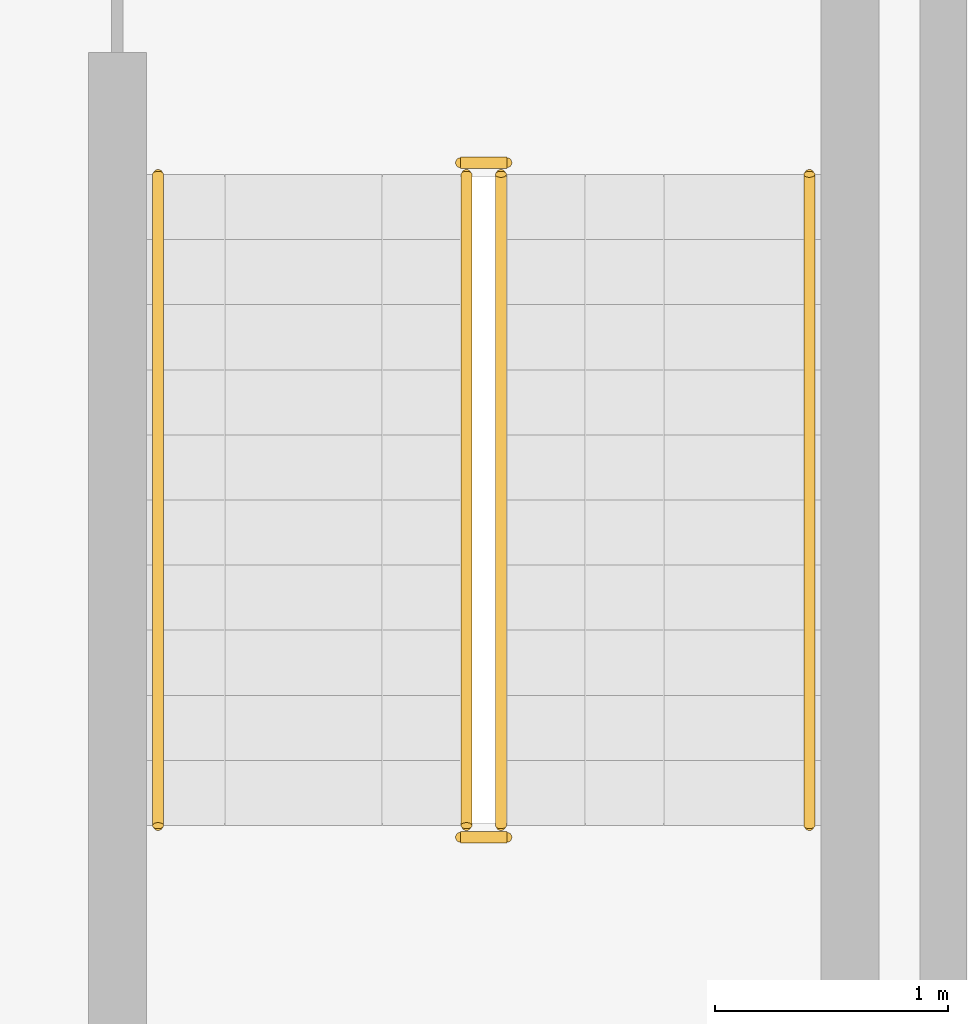
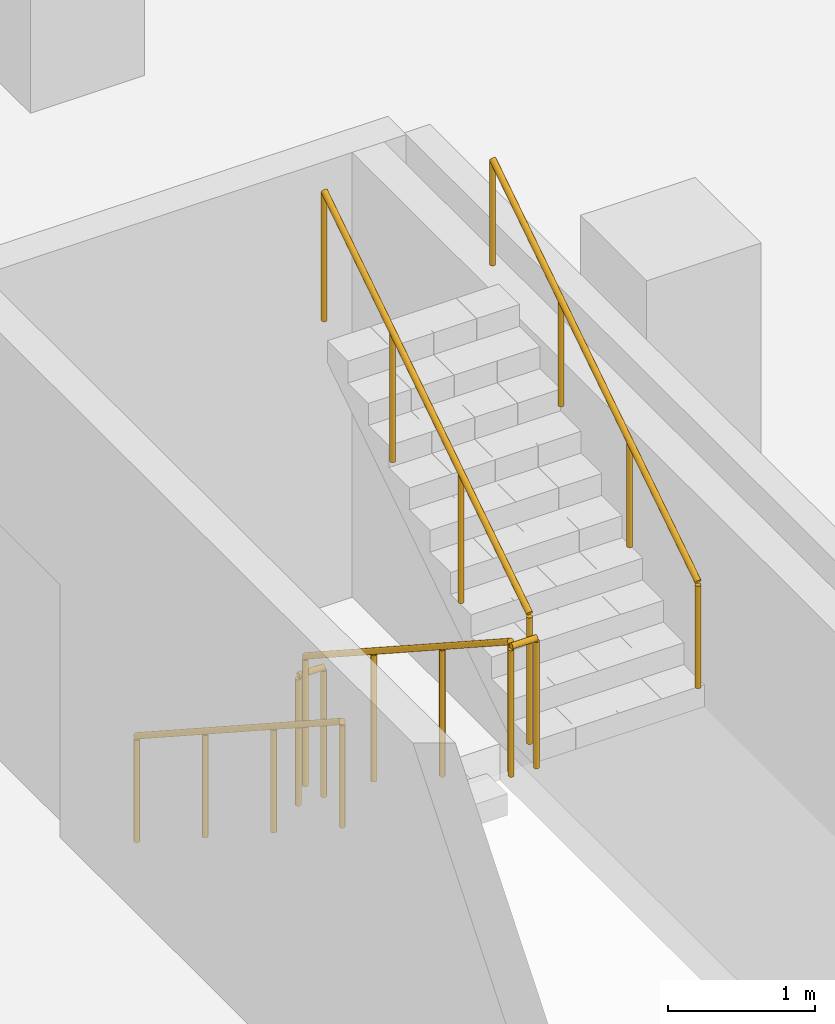
# One storey, part 16 of 18: 6 railings.
"""IFC4 building model written with IfcOpenShell, lengths in metres."""

import ifcopenshell
import ifcopenshell.guid

model = None  # the IFC model being written
_history = None  # IfcOwnerHistory: only IFC2X3 demands one
_inside = {}  # id of a spatial element -> (the spatial element, [elements in it])
_under = {}  # id of a project, library or spatial element -> (it, [spatial elements below it])
_declared = {}  # id of a project -> (the project, [libraries it declares])
_typed = {}  # id of a type object -> (the type object, [elements of that type])
_made_of = {}  # id of a material, layer set ... -> (it, [elements and type objects made of it])


def new_model(schema):
    """Start an empty IFC model of exactly this schema.

    Asked for "IFC4X3", IfcOpenShell would pick the latest addendum, in which some entities
    have other attributes; the version numbers below select the first issue.
    IFC2X3 requires an IfcOwnerHistory on every rooted entity: one is made here for all.
    """
    global model, _history
    if schema == "IFC4X3":
        model = ifcopenshell.file(schema_version=(4, 3, 0, 0))
    else:
        model = ifcopenshell.file(schema=schema)
    _inside.clear()
    _under.clear()
    _declared.clear()
    _typed.clear()
    _made_of.clear()
    _history = None
    if model.schema == "IFC2X3":
        org = make("IfcOrganization", Name="unknown")
        user = make(
            "IfcPersonAndOrganization",
            ThePerson=make("IfcPerson", FamilyName="unknown"),
            TheOrganization=org,
        )
        app = make(
            "IfcApplication",
            ApplicationDeveloper=org,
            Version="unknown",
            ApplicationFullName="unknown",
            ApplicationIdentifier="unknown",
        )
        _history = make(
            "IfcOwnerHistory",
            OwningUser=user,
            OwningApplication=app,
            ChangeAction="ADDED",
            CreationDate=0,
        )
    return model


def make(cls, **values):
    """One entity of the class cls with the attributes given. An attribute that is None is left unset."""
    return model.create_entity(
        cls, **{name: value for name, value in values.items() if value is not None}
    )


def rooted(cls, **values):
    """An entity with a GlobalId (a new one), such as an element, a storey or a relation."""
    return make(cls, GlobalId=ifcopenshell.guid.new(), OwnerHistory=_history, **values)


def si_unit(unit_type, name, prefix=None):
    """IfcSIUnit, for example si_unit("LENGTHUNIT", "METRE", prefix="MILLI")."""
    return make("IfcSIUnit", UnitType=unit_type, Prefix=prefix, Name=name)


def assignment(units):
    """IfcUnitAssignment: the units of a project."""
    return None if units is None else make("IfcUnitAssignment", Units=units)


def point(xyz):
    """IfcCartesianPoint."""
    return None if xyz is None else make("IfcCartesianPoint", Coordinates=xyz)


def direction(xyz):
    """IfcDirection."""
    return None if xyz is None else make("IfcDirection", DirectionRatios=xyz)


def frame(location, z_axis=None, x_axis=None):
    """IfcAxis2Placement3D, a coordinate frame: its origin and axes. An axis left out is left unset."""
    return make(
        "IfcAxis2Placement3D",
        Location=point(location),
        Axis=direction(z_axis),
        RefDirection=direction(x_axis),
    )


def frame_2d(location, x_axis=None):
    """IfcAxis2Placement2D, a coordinate frame in the plane: its origin and x axis."""
    return make(
        "IfcAxis2Placement2D", Location=point(location), RefDirection=direction(x_axis)
    )


def origin():
    """The frame at (0, 0, 0) with its axes left unset."""
    return frame((0.0, 0.0, 0.0))


def origin_2d():
    """The frame at (0, 0) in the plane with its x axis left unset."""
    return frame_2d((0.0, 0.0))


def place(relative_to, where):
    """IfcLocalPlacement: puts the frame where relative to a parent placement (None: the world)."""
    return make(
        "IfcLocalPlacement", PlacementRelTo=relative_to, RelativePlacement=where
    )


def context(
    kind, dimensions, precision=None, world=None, true_north=None, identifier=None
):
    """IfcGeometricRepresentationContext, for example the 3D "Model" context."""
    return make(
        "IfcGeometricRepresentationContext",
        ContextIdentifier=identifier,
        ContextType=kind,
        CoordinateSpaceDimension=dimensions,
        Precision=precision,
        WorldCoordinateSystem=world,
        TrueNorth=true_north,
    )


def subcontext(parent, identifier, kind, view, scale=None):
    """IfcGeometricRepresentationSubContext, for example "Body" below "Model"."""
    return make(
        "IfcGeometricRepresentationSubContext",
        ContextIdentifier=identifier,
        ContextType=kind,
        ParentContext=parent,
        TargetScale=scale,
        TargetView=view,
    )


def project(units=None, contexts=None):
    """IfcProject with its units and contexts."""
    return rooted(
        "IfcProject",
        Name="project",
        RepresentationContexts=contexts,
        UnitsInContext=assignment(units),
    )


def spatial(cls, under=None, at=None, **own):
    """A site, building, storey or space (cls), placed at a placement, below another one or the project."""
    s = rooted(cls, ObjectPlacement=at, **own)
    if under is not None:
        _under.setdefault(under.id(), (under, []))[1].append(s)
    return s


def profile(cls, at=None, kind="AREA", **sizes):
    """A parametric profile (cls). Its sizes go by their IFC names, for example OverallWidth=200.0."""
    return make(cls, ProfileType=kind, Position=at, **sizes)


def circle(**sizes):
    """IfcCircleProfileDef."""
    return profile("IfcCircleProfileDef", **sizes)


def extrude(swept, where, along, depth):
    """IfcExtrudedAreaSolid: the profile swept, set in the frame where, extruded along a direction by depth."""
    return make(
        "IfcExtrudedAreaSolid",
        SweptArea=swept,
        Position=where,
        ExtrudedDirection=direction(along),
        Depth=depth,
    )


def shape(context_of_items, identifier, shape_type, items):
    """IfcShapeRepresentation: the items that make up one representation, for example the "Body"."""
    return make(
        "IfcShapeRepresentation",
        ContextOfItems=context_of_items,
        RepresentationIdentifier=identifier,
        RepresentationType=shape_type,
        Items=items,
    )


def material(Name=None, Category=None):
    """IfcMaterial."""
    return make("IfcMaterial", Name=Name, Category=Category)


def made_of(thing, what):
    """Note that an element or type object is made of a material, layer set ...; save() writes the relation."""
    if what is not None:
        _made_of.setdefault(what.id(), (what, []))[1].append(thing)
    return thing


def type_object(cls, material=None, **own):
    """A type object (cls), such as IfcWallType, which elements share."""
    return made_of(rooted(cls, **own), material)


def element(
    cls,
    number,
    at=None,
    inside=None,
    cuts=None,
    type_object=None,
    material=None,
    context=None,
    identifier="Body",
    shape_type=None,
    held_by="IfcProductDefinitionShape",
    body=None,
    shapes=None,
    **own,
):
    """One element of the class cls, such as IfcWall. Its Tag is "e" and its number.

    at: its placement. inside: the storey or other place that contains it. cuts: it is an
    opening in that element (IfcRelVoidsElement). A single representation is given by context,
    identifier, shape_type and body (its items); several are given by shapes. held_by: the class
    of the entity that holds the representations. save() writes the other relations.
    """
    e = rooted(cls, Tag="e%d" % number, ObjectPlacement=at, **own)
    if body is not None:
        shapes = [shape(context, identifier, shape_type, body)]
    if shapes is not None:
        e.Representation = make(held_by, Representations=shapes)
    if inside is not None:
        _inside.setdefault(inside.id(), (inside, []))[1].append(e)
    if cuts is not None:
        rooted(
            "IfcRelVoidsElement", RelatingBuildingElement=cuts, RelatedOpeningElement=e
        )
    if type_object is not None:
        _typed.setdefault(type_object.id(), (type_object, []))[1].append(e)
    return made_of(e, material)


def aggregate(whole, parts):
    """IfcRelAggregates: a whole, such as a stair, and the parts it consists of."""
    return rooted("IfcRelAggregates", RelatingObject=whole, RelatedObjects=parts)


def save(model, path):
    """Write the relations noted so far, then the file.

    IfcRelAggregates (storeys below a building ...), IfcRelContainedInSpatialStructure (elements
    in a storey), IfcRelDefinesByType, IfcRelAssociatesMaterial and IfcRelDeclares: one each for
    every whole, place, type object, material and project.
    """
    for whole, parts in _under.values():
        aggregate(whole, parts)
    for where, things in _inside.values():
        rooted(
            "IfcRelContainedInSpatialStructure",
            RelatedElements=things,
            RelatingStructure=where,
        )
    for kind, things in _typed.values():
        rooted("IfcRelDefinesByType", RelatedObjects=things, RelatingType=kind)
    for what, things in _made_of.values():
        rooted("IfcRelAssociatesMaterial", RelatedObjects=things, RelatingMaterial=what)
    for by, libraries in _declared.values():
        rooted("IfcRelDeclares", RelatingContext=by, RelatedDefinitions=libraries)
    model.write(path)


model = new_model("IFC4")

# Units and contexts
model_context = context("Model", 3, precision=1e-05, world=origin(), true_north=direction((0.0, 1.0)))
body_context = subcontext(model_context, "Body", "Model", "MODEL_VIEW")
ifc_project = project(units=[si_unit("LENGTHUNIT", "METRE"), si_unit("AREAUNIT", "SQUARE_METRE"), si_unit("VOLUMEUNIT", "CUBIC_METRE"), si_unit("PLANEANGLEUNIT", "RADIAN"), si_unit("MASSUNIT", "GRAM", prefix="KILO")], contexts=[model_context])

# Site, building, storey
site_placement = place(None, origin())
site = spatial("IfcSite", under=ifc_project, at=site_placement, CompositionType="ELEMENT")
building_placement = place(site_placement, origin())
building = spatial("IfcBuilding", under=site, at=building_placement, Name="Cantera Rosa Tower", CompositionType="ELEMENT")
storey_placement = place(building_placement, frame((0.0, 0.0, -13.0)))
storey = spatial("IfcBuildingStorey", under=building, at=storey_placement, Name="B3", CompositionType="ELEMENT", Elevation=-13.0)

# Railings
ifc_material_1 = material(Name="Steel S355J2 (EN 10025-2)", Category="steel")
railing_type_1 = type_object("IfcRailingType", Name="STAIR GUARD 1100", PredefinedType="GUARDRAIL", material=ifc_material_1)
railing_1_placement = place(storey_placement, frame((30.65087890625, -21.125, 0.181884765625)))
element("IfcRailing", 1, at=railing_1_placement, inside=storey, type_object=railing_type_1, Name="B3 ST-SE stair guard 1", PredefinedType="GUARDRAIL", context=body_context, shape_type="SweptSolid", body=[
    extrude(circle(Radius=0.02392578125, at=origin_2d()), frame((0.0, 0.0, 1.076171875), z_axis=(0.0, -0.838705829183, 0.544584733623), x_axis=(1.0, 0.0, 0.0)), (0.0, 0.0, 1.0), 3.338623046875),
    extrude(circle(Radius=0.02099609375, at=origin_2d()), origin(), (0.0, 0.0, 1.0), 1.052001953125),
    extrude(circle(Radius=0.02099609375, at=origin_2d()), frame((0.0, -0.933349609375, 0.60595703125)), (0.0, 0.0, 1.0), 1.052001953125),
    extrude(circle(Radius=0.02099609375, at=origin_2d()), frame((0.0, -1.86669921875, 1.212158203125)), (0.0, 0.0, 1.0), 1.052001953125),
    extrude(circle(Radius=0.02099609375, at=origin_2d()), frame((0.0, -2.800048828125, 1.818115234375)), (0.0, 0.0, 1.0), 1.052001953125),
])
railing_2_placement = place(storey_placement, frame((30.625, -23.97509765625, 2.0)))
element("IfcRailing", 2, at=railing_2_placement, inside=storey, type_object=railing_type_1, Name="B3 ST-SE stair guard 2", PredefinedType="GUARDRAIL", context=body_context, shape_type="SweptSolid", body=[
    extrude(circle(Radius=0.02392578125, at=origin_2d()), frame((0.0, 0.0, 1.076171875), z_axis=(1.0, 0.0, 0.0), x_axis=(0.0, 1.0, 0.0)), (0.0, 0.0, 1.0), 0.199951171875),
    extrude(circle(Radius=0.02099609375, at=origin_2d()), origin(), (0.0, 0.0, 1.0), 1.052001953125),
    extrude(circle(Radius=0.02099609375, at=origin_2d()), frame((0.199951171875, 0.0, 0.0)), (0.0, 0.0, 1.0), 1.052001953125),
])
railing_3_placement = place(storey_placement, frame((30.799072265625, -23.925048828125, 2.181884765625)))
element("IfcRailing", 3, at=railing_3_placement, inside=storey, type_object=railing_type_1, Name="B3 ST-SE stair guard 3", PredefinedType="GUARDRAIL", context=body_context, shape_type="SweptSolid", body=[
    extrude(circle(Radius=0.02392578125, at=origin_2d()), frame((0.0, 0.0, 1.076171875), z_axis=(0.0, 0.838705829183, 0.544584733623), x_axis=(-1.0, 0.0, 0.0)), (0.0, 0.0, 1.0), 3.338623046875),
    extrude(circle(Radius=0.02099609375, at=origin_2d()), origin(), (0.0, 0.0, 1.0), 1.052001953125),
    extrude(circle(Radius=0.02099609375, at=origin_2d()), frame((0.0, 0.933349609375, 0.60595703125)), (0.0, 0.0, 1.0), 1.052001953125),
    extrude(circle(Radius=0.02099609375, at=origin_2d()), frame((0.0, 1.86669921875, 1.212158203125)), (0.0, 0.0, 1.0), 1.052001953125),
    extrude(circle(Radius=0.02099609375, at=origin_2d()), frame((0.0, 2.800048828125, 1.818115234375)), (0.0, 0.0, 1.0), 1.052001953125),
])
railing_4_placement = place(storey_placement, frame((30.625, -21.074951171875, 0.0)))
element("IfcRailing", 4, at=railing_4_placement, inside=storey, type_object=railing_type_1, Name="B3 ST-SE stair guard 4", PredefinedType="GUARDRAIL", context=body_context, shape_type="SweptSolid", body=[
    extrude(circle(Radius=0.02392578125, at=origin_2d()), frame((0.0, 0.0, 1.076171875), z_axis=(1.0, 0.0, 0.0), x_axis=(0.0, 1.0, 0.0)), (0.0, 0.0, 1.0), 0.199951171875),
    extrude(circle(Radius=0.02099609375, at=origin_2d()), origin(), (0.0, 0.0, 1.0), 1.052001953125),
    extrude(circle(Radius=0.02099609375, at=origin_2d()), frame((0.199951171875, 0.0, 0.0)), (0.0, 0.0, 1.0), 1.052001953125),
])
ifc_material_2 = material(Name="Steel S355J2 (EN 10025-2)", Category="steel")
railing_type_2 = type_object("IfcRailingType", Name="STAIR HANDRAIL 900", PredefinedType="HANDRAIL", material=ifc_material_2)
railing_5_placement = place(storey_placement, frame((29.324951171875, -21.125, 0.181884765625)))
element("IfcRailing", 5, at=railing_5_placement, inside=storey, type_object=railing_type_2, Name="B3 ST-SE stair handrail 1", PredefinedType="HANDRAIL", context=body_context, shape_type="SweptSolid", body=[
    extrude(circle(Radius=0.02392578125, at=origin_2d()), frame((0.0, 0.0, 0.8759765625), z_axis=(0.0, -0.838705829183, 0.544584733623), x_axis=(1.0, 0.0, 0.0)), (0.0, 0.0, 1.0), 3.338623046875),
    extrude(circle(Radius=0.02099609375, at=origin_2d()), origin(), (0.0, 0.0, 1.0), 0.851806640625),
    extrude(circle(Radius=0.02099609375, at=origin_2d()), frame((0.0, -0.933349609375, 0.60595703125)), (0.0, 0.0, 1.0), 0.851806640625),
    extrude(circle(Radius=0.02099609375, at=origin_2d()), frame((0.0, -1.86669921875, 1.212158203125)), (0.0, 0.0, 1.0), 0.851806640625),
    extrude(circle(Radius=0.02099609375, at=origin_2d()), frame((0.0, -2.800048828125, 1.818115234375)), (0.0, 0.0, 1.0), 0.851806640625),
])
railing_6_placement = place(storey_placement, frame((32.125, -23.925048828125, 2.181884765625)))
element("IfcRailing", 6, at=railing_6_placement, inside=storey, type_object=railing_type_2, Name="B3 ST-SE stair handrail 2", PredefinedType="HANDRAIL", context=body_context, shape_type="SweptSolid", body=[
    extrude(circle(Radius=0.02392578125, at=origin_2d()), frame((0.0, 0.0, 0.8759765625), z_axis=(0.0, 0.838705829183, 0.544584733623), x_axis=(-1.0, 0.0, 0.0)), (0.0, 0.0, 1.0), 3.338623046875),
    extrude(circle(Radius=0.02099609375, at=origin_2d()), origin(), (0.0, 0.0, 1.0), 0.851806640625),
    extrude(circle(Radius=0.02099609375, at=origin_2d()), frame((0.0, 0.933349609375, 0.60595703125)), (0.0, 0.0, 1.0), 0.851806640625),
    extrude(circle(Radius=0.02099609375, at=origin_2d()), frame((0.0, 1.86669921875, 1.212158203125)), (0.0, 0.0, 1.0), 0.851806640625),
    extrude(circle(Radius=0.02099609375, at=origin_2d()), frame((0.0, 2.800048828125, 1.818115234375)), (0.0, 0.0, 1.0), 0.851806640625),
])

save(model, "model.ifc")
